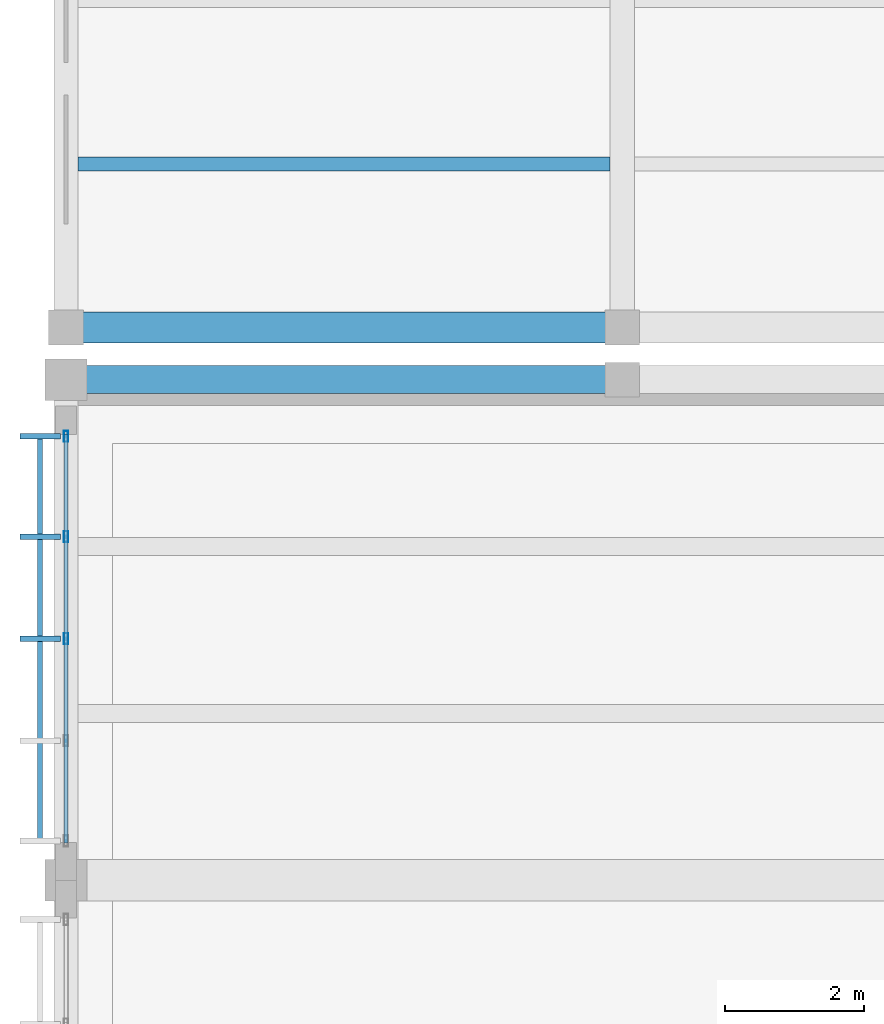
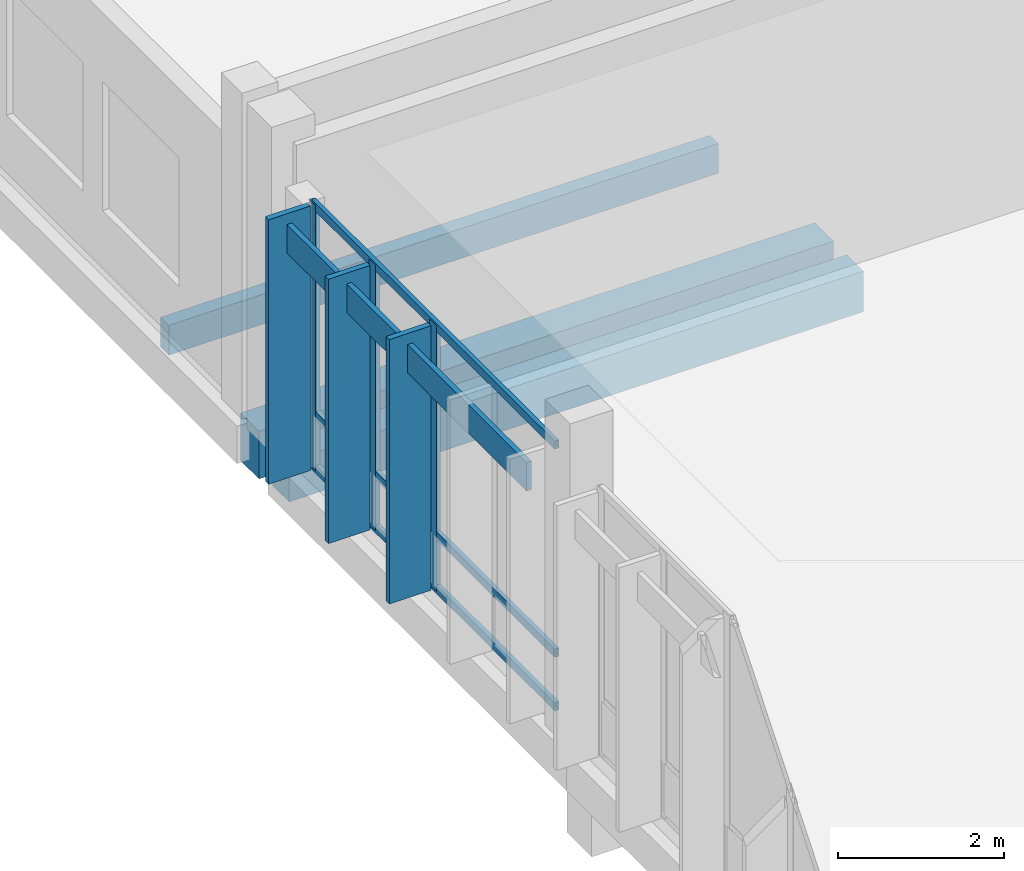
# One storey, part 30 of 177: 10 members, 3 beams, 1 element without a shape of its own.
"""IFC4 building model written with IfcOpenShell, lengths in metres."""

from ifc_helpers import new_model, si_unit, direction, frame, origin, origin_2d, place, context, subcontext, project, spatial, rectangle, hollow_rectangle, extrude, material, material_profile, profile_set, type_object, element, aggregate, save


model = new_model("IFC4")

# Units and contexts
model_context = context("Model", 3, precision=1e-05, world=origin(), true_north=direction((0.0, 1.0)))
body_context = subcontext(model_context, "Body", "Model", "MODEL_VIEW")
ifc_project = project(units=[si_unit("LENGTHUNIT", "METRE"), si_unit("AREAUNIT", "SQUARE_METRE"), si_unit("VOLUMEUNIT", "CUBIC_METRE"), si_unit("PLANEANGLEUNIT", "RADIAN"), si_unit("MASSUNIT", "GRAM", prefix="KILO")], contexts=[model_context])

# Site, building, storey
site_placement = place(None, origin())
site = spatial("IfcSite", under=ifc_project, at=site_placement, CompositionType="ELEMENT")
building_placement = place(site_placement, origin())
building = spatial("IfcBuilding", under=site, at=building_placement, Name="Chiffa Square Polytechnic", CompositionType="ELEMENT")
storey_placement = place(building_placement, frame((0.0, 0.0, 4.800048828125)))
storey = spatial("IfcBuildingStorey", under=building, at=storey_placement, Name="L01", CompositionType="ELEMENT", Elevation=4.800048828125)

# Beams
ifc_material_1 = material(Name="Concrete C35/45", Category="concrete")
ifc_material_profile_1 = material_profile(ifc_material_1, rectangle(XDim=0.39990234375, YDim=0.60009765625, at=origin_2d()), Name="RC 400x600")
ifc_profile_set_1 = profile_set([ifc_material_profile_1], Name="Concrete C35/45")
beam_type_1 = type_object("IfcBeamType", Name="BM-RC-400X600", PredefinedType="BEAM", material=ifc_profile_set_1)
beam_1_placement = place(storey_placement, frame((0.0, 36.0, -0.580078125), z_axis=(1.0, 0.0, 0.0), x_axis=(0.0, 1.0, 0.0)))
element("IfcBeam", 1, at=beam_1_placement, inside=storey, type_object=beam_type_1, Name="Primary floor girder BM-V3-L01-X-0000-0360", PredefinedType="BEAM", context=body_context, shape_type="SweptSolid", body=[
    extrude(rectangle(XDim=0.39990234375, YDim=0.60009765625, at=origin_2d()), origin(), (0.0, 0.0, 1.0), 8.0),
])
ifc_material_profile_2 = material_profile(ifc_material_1, rectangle(XDim=0.449951171875, YDim=0.699951171875, at=origin_2d()), Name="RC 450x700")
ifc_profile_set_2 = profile_set([ifc_material_profile_2], Name="Concrete C35/45")
beam_type_2 = type_object("IfcBeamType", Name="BM-RC-450X700", PredefinedType="BEAM", material=ifc_profile_set_2)
beam_2_placement = place(storey_placement, frame((0.0, 36.75, -0.630126953125), z_axis=(1.0, 0.0, 0.0), x_axis=(0.0, 1.0, 0.0)))
element("IfcBeam", 2, at=beam_2_placement, inside=storey, type_object=beam_type_2, Name="Primary floor girder BM-V6-L01-X-0000-0368", PredefinedType="BEAM", context=body_context, shape_type="SweptSolid", body=[
    extrude(rectangle(XDim=0.449951171875, YDim=0.699951171875, at=origin_2d()), origin(), (0.0, 0.0, 1.0), 8.0),
])

# Curtain wall, members
ifc_material_2 = material(Name="Aluminium EN AW-6060 T66 and glulam shading", Category="wood")
curtain_wall_type = type_object("IfcCurtainWallType", Name="CW-VERT-450X440", PredefinedType="USERDEFINED", material=ifc_material_2)
curtain_wall_placement = place(storey_placement, origin())
curtain_wall = element("IfcCurtainWall", 3, at=curtain_wall_placement, inside=storey, type_object=curtain_wall_type, Name="Curtain wall CW-V3-L01-160", ObjectType="CURTAIN WALL", PredefinedType="USERDEFINED")
ifc_material_3 = material(Name="Aluminium EN AW-6060 T66", Category="aluminium")
ifc_material_profile_3 = material_profile(ifc_material_3, hollow_rectangle(XDim=0.06005859375, YDim=0.159912109375, WallThickness=0.00390625, at=origin_2d()), Name="ALU 60x160x4")
ifc_profile_set_3 = profile_set([ifc_material_profile_3], Name="Aluminium EN AW-6060 T66")
member_type_1 = type_object("IfcMemberType", Name="CWM-ALU-65X150", PredefinedType="MULLION", material=ifc_profile_set_3)
member_1_placement = place(storey_placement, frame((0.0, 35.18505859375, 0.0), z_axis=(0.0, 0.0, 1.0), x_axis=(1.0, 0.0, 0.0)))
member_1 = element("IfcMember", 4, at=member_1_placement, type_object=member_type_1, Name="Curtain wall mullion CW-V3-L01-160-M00", PredefinedType="MULLION", context=body_context, shape_type="SweptSolid", body=[
    extrude(hollow_rectangle(XDim=0.06005859375, YDim=0.159912109375, WallThickness=0.00390625, at=origin_2d()), origin(), (0.0, 0.0, 1.0), 3.9150390625),
])
member_2_placement = place(storey_placement, frame((0.0, 33.741943359375, 0.0), z_axis=(0.0, 0.0, 1.0), x_axis=(1.0, 0.0, 0.0)))
member_2 = element("IfcMember", 5, at=member_2_placement, type_object=member_type_1, Name="Curtain wall mullion CW-V3-L01-160-M01", PredefinedType="MULLION", context=body_context, shape_type="SweptSolid", body=[
    extrude(hollow_rectangle(XDim=0.06005859375, YDim=0.159912109375, WallThickness=0.00390625, at=origin_2d()), origin(), (0.0, 0.0, 1.0), 3.9150390625),
])
member_3_placement = place(storey_placement, frame((0.0, 32.27490234375, 0.0), z_axis=(0.0, 0.0, 1.0), x_axis=(1.0, 0.0, 0.0)))
member_3 = element("IfcMember", 6, at=member_3_placement, type_object=member_type_1, Name="Curtain wall mullion CW-V3-L01-160-M02", PredefinedType="MULLION", context=body_context, shape_type="SweptSolid", body=[
    extrude(hollow_rectangle(XDim=0.06005859375, YDim=0.159912109375, WallThickness=0.00390625, at=origin_2d()), origin(), (0.0, 0.0, 1.0), 3.9150390625),
])
ifc_material_4 = material(Name="Glulam GL28h", Category="wood")
ifc_material_profile_4 = material_profile(ifc_material_4, rectangle(XDim=0.080078125, YDim=0.580078125, at=origin_2d()), Name="GL28h 80x580")
ifc_profile_set_4 = profile_set([ifc_material_profile_4], Name="Glulam GL28h")
member_type_2 = type_object("IfcMemberType", Name="CWM-GL-80X580", PredefinedType="MULLION", material=ifc_profile_set_4)
member_4_placement = place(storey_placement, frame((-0.3720703125, 35.18505859375, 0.010009765625), z_axis=(0.0, 0.0, 1.0), x_axis=(0.0, -1.0, 0.0)))
member_4 = element("IfcMember", 7, at=member_4_placement, type_object=member_type_2, Name="Exterior glulam solar fin CW-V3-L01-160-FN00", PredefinedType="MULLION", context=body_context, shape_type="SweptSolid", body=[
    extrude(rectangle(XDim=0.080078125, YDim=0.580078125, at=origin_2d()), origin(), (0.0, 0.0, 1.0), 3.89501953125),
])
member_5_placement = place(storey_placement, frame((-0.3720703125, 33.741943359375, 0.010009765625), z_axis=(0.0, 0.0, 1.0), x_axis=(0.0, -1.0, 0.0)))
member_5 = element("IfcMember", 8, at=member_5_placement, type_object=member_type_2, Name="Exterior glulam solar fin CW-V3-L01-160-FN01", PredefinedType="MULLION", context=body_context, shape_type="SweptSolid", body=[
    extrude(rectangle(XDim=0.080078125, YDim=0.580078125, at=origin_2d()), origin(), (0.0, 0.0, 1.0), 3.89501953125),
])
member_6_placement = place(storey_placement, frame((-0.3720703125, 32.27490234375, 0.010009765625), z_axis=(0.0, 0.0, 1.0), x_axis=(0.0, -1.0, 0.0)))
member_6 = element("IfcMember", 9, at=member_6_placement, type_object=member_type_2, Name="Exterior glulam solar fin CW-V3-L01-160-FN02", PredefinedType="MULLION", context=body_context, shape_type="SweptSolid", body=[
    extrude(rectangle(XDim=0.080078125, YDim=0.580078125, at=origin_2d()), origin(), (0.0, 0.0, 1.0), 3.89501953125),
])
ifc_material_profile_5 = material_profile(ifc_material_3, hollow_rectangle(XDim=0.06005859375, YDim=0.1201171875, WallThickness=0.00390625, at=origin_2d()), Name="ALU 60x120x4")
ifc_profile_set_5 = profile_set([ifc_material_profile_5], Name="Aluminium EN AW-6060 T66")
member_type_3 = type_object("IfcMemberType", Name="CWT-ALU-65X120", PredefinedType="USERDEFINED", material=ifc_profile_set_5)
member_7_placement = place(storey_placement, frame((0.0, 35.2119140625, 0.030029296875), z_axis=(0.0, -1.0, 0.0), x_axis=(1.0, 0.0, 0.0)))
member_7 = element("IfcMember", 10, at=member_7_placement, type_object=member_type_3, Name="Curtain wall transom CW-V3-L01-160-T01", ObjectType="TRANSOM", PredefinedType="USERDEFINED", context=body_context, shape_type="SweptSolid", body=[
    extrude(hollow_rectangle(XDim=0.06005859375, YDim=0.1201171875, WallThickness=0.00390625, at=origin_2d()), origin(), (0.0, 0.0, 1.0), 5.8740234375),
])
member_8_placement = place(storey_placement, frame((0.0, 35.2119140625, 0.820068359375), z_axis=(0.0, -1.0, 0.0), x_axis=(1.0, 0.0, 0.0)))
member_8 = element("IfcMember", 11, at=member_8_placement, type_object=member_type_3, Name="Curtain wall transom CW-V3-L01-160-T02", ObjectType="TRANSOM", PredefinedType="USERDEFINED", context=body_context, shape_type="SweptSolid", body=[
    extrude(hollow_rectangle(XDim=0.06005859375, YDim=0.1201171875, WallThickness=0.00390625, at=origin_2d()), origin(), (0.0, 0.0, 1.0), 5.8740234375),
])
member_9_placement = place(storey_placement, frame((0.0, 35.2119140625, 3.885009765625), z_axis=(0.0, -1.0, 0.0), x_axis=(1.0, 0.0, 0.0)))
member_9 = element("IfcMember", 12, at=member_9_placement, type_object=member_type_3, Name="Curtain wall transom CW-V3-L01-160-T03", ObjectType="TRANSOM", PredefinedType="USERDEFINED", context=body_context, shape_type="SweptSolid", body=[
    extrude(hollow_rectangle(XDim=0.06005859375, YDim=0.1201171875, WallThickness=0.00390625, at=origin_2d()), origin(), (0.0, 0.0, 1.0), 5.8740234375),
])
ifc_material_profile_6 = material_profile(ifc_material_4, rectangle(XDim=0.070068359375, YDim=0.419921875, at=origin_2d()), Name="GL28h 70x420")
ifc_profile_set_6 = profile_set([ifc_material_profile_6], Name="Glulam GL28h")
member_type_4 = type_object("IfcMemberType", Name="CWT-GL-70X420", PredefinedType="USERDEFINED", material=ifc_profile_set_6)
member_10_placement = place(storey_placement, frame((-0.3720703125, 35.18505859375, 3.534912109375), z_axis=(0.0, -1.0, 0.0), x_axis=(1.0, 0.0, 0.0)))
member_10 = element("IfcMember", 13, at=member_10_placement, type_object=member_type_4, Name="Exterior glulam brise-soleil CW-V3-L01-160-BS01", ObjectType="TRANSOM", PredefinedType="USERDEFINED", context=body_context, shape_type="SweptSolid", body=[
    extrude(rectangle(XDim=0.070068359375, YDim=0.419921875, at=origin_2d()), origin(), (0.0, 0.0, 1.0), 5.820068359375),
])
aggregate(curtain_wall, [member_1, member_4, member_2, member_5, member_3, member_6, member_7, member_8, member_9, member_10])

# Beam
ifc_material_profile_7 = material_profile(ifc_material_4, rectangle(XDim=0.199951171875, YDim=0.43994140625, at=origin_2d()), Name="GL28h 200x440")
ifc_profile_set_7 = profile_set([ifc_material_profile_7], Name="Glulam GL28h")
beam_type_3 = type_object("IfcBeamType", Name="JST-GL-200X440", PredefinedType="JOIST", material=ifc_profile_set_7)
beam_3_placement = place(storey_placement, frame((0.173095703125, 39.10009765625, -0.5), z_axis=(1.0, 0.0, 0.0), x_axis=(0.0, 1.0, 0.0)))
element("IfcBeam", 14, at=beam_3_placement, inside=storey, type_object=beam_type_3, Name="Secondary floor joist JST-V6-L01-0000-0391", PredefinedType="JOIST", context=body_context, shape_type="SweptSolid", body=[
    extrude(rectangle(XDim=0.199951171875, YDim=0.43994140625, at=origin_2d()), origin(), (0.0, 0.0, 1.0), 7.65380859375),
])

save(model, "model.ifc")
